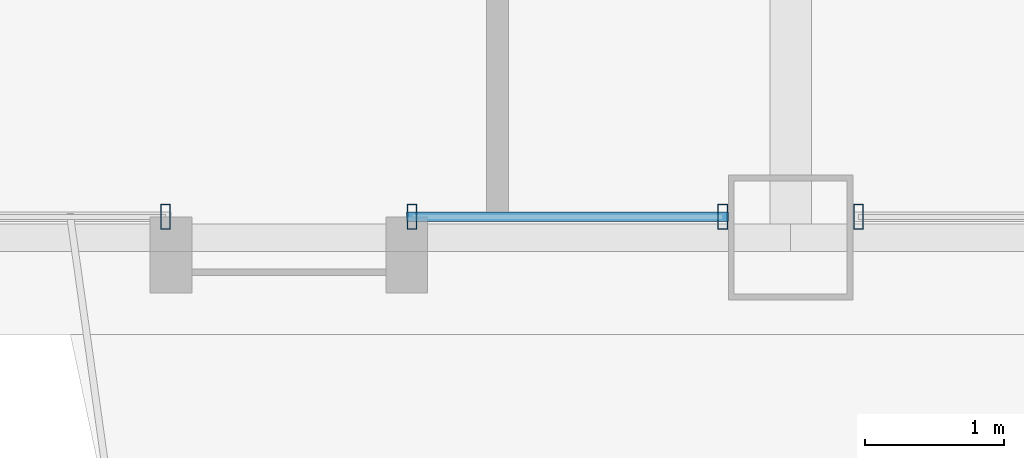
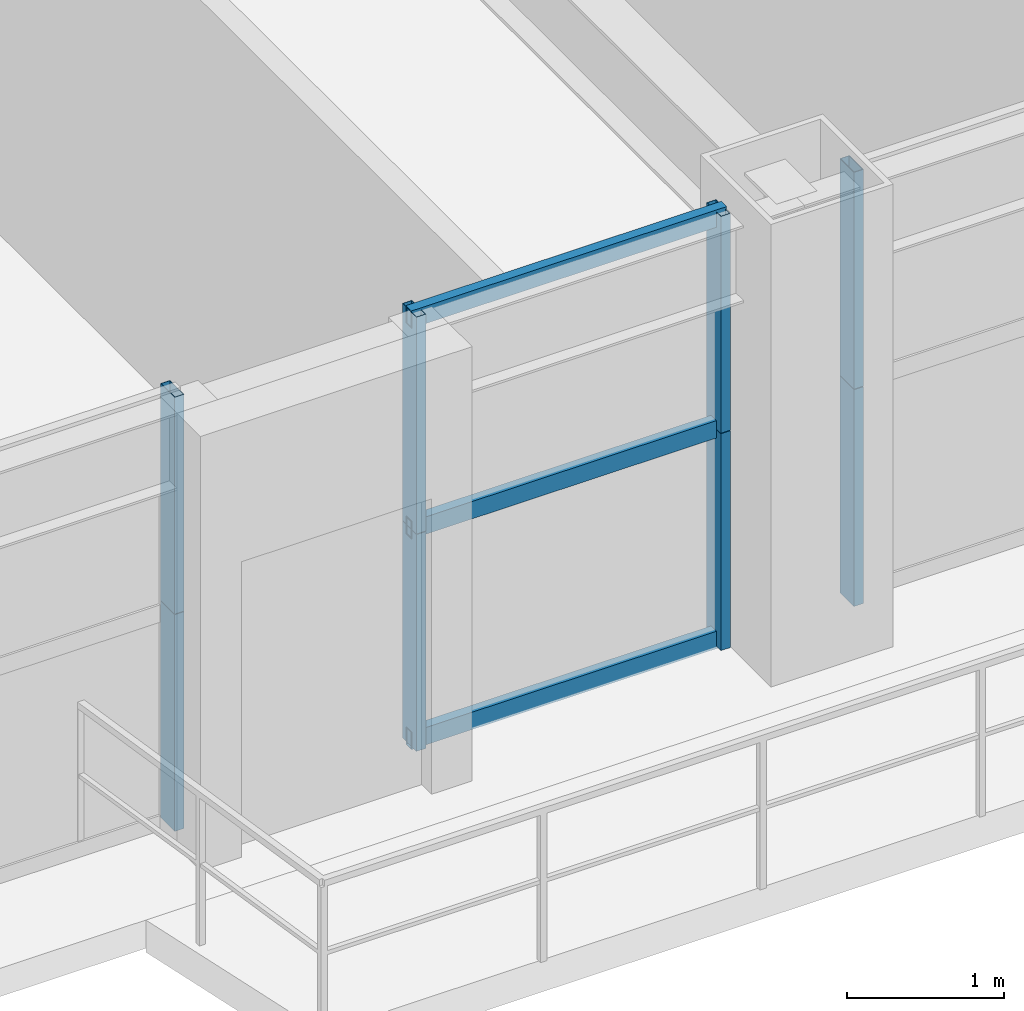
# One storey, part 8 of 43: 11 members, 3 elements without a shape of their own.
"""IFC4 building model written with IfcOpenShell, lengths in metres."""

from ifc_helpers import new_model, si_unit, direction, frame, origin, origin_2d, place, context, subcontext, project, spatial, hollow_rectangle, extrude, source, transform, mapped, material, layer, layer_set, material_profile, profile_set, type_object, element, aggregate, save


model = new_model("IFC4")

# Units and contexts
model_context = context("Model", 3, precision=1e-05, world=origin(), true_north=direction((0.0, 1.0)))
body_context = subcontext(model_context, "Body", "Model", "MODEL_VIEW")
ifc_project = project(units=[si_unit("LENGTHUNIT", "METRE"), si_unit("AREAUNIT", "SQUARE_METRE"), si_unit("VOLUMEUNIT", "CUBIC_METRE"), si_unit("PLANEANGLEUNIT", "RADIAN"), si_unit("MASSUNIT", "GRAM", prefix="KILO"), si_unit("THERMODYNAMICTEMPERATUREUNIT", "KELVIN"), si_unit("POWERUNIT", "WATT")], contexts=[model_context])

# Site, building, storey
site_placement = place(None, origin())
site = spatial("IfcSite", under=ifc_project, at=site_placement, CompositionType="ELEMENT")
building_placement = place(site_placement, origin())
building = spatial("IfcBuilding", under=site, at=building_placement, Name="Yuzanri Waterfront Tower", CompositionType="ELEMENT")
storey_placement = place(building_placement, frame((0.0, 0.0, 93.800048828125)))
storey = spatial("IfcBuildingStorey", under=building, at=storey_placement, Name="L24", CompositionType="ELEMENT", Elevation=93.800048828125)

# Curtain wall, members
ifc_material_1 = material(Name="Anodized Architectural Bronze", Category="metal")
ifc_layer = layer(ifc_material_1, 0.159912109375)
ifc_layer_set = layer_set([ifc_layer], Name="Anodized Architectural Bronze")
curtain_wall_type = type_object("IfcCurtainWallType", Name="Anodized Bronze Hotel Upper-Tier Solar-Control Unitized Curtain Wall 7800", PredefinedType="NOTDEFINED", material=ifc_layer_set)
curtain_wall_1_placement = place(storey_placement, origin())
curtain_wall_1 = element("IfcCurtainWall", 1, at=curtain_wall_1_placement, inside=storey, type_object=curtain_wall_type, Name="L24 Curtain Wall CW-L24-SL1", PredefinedType="NOTDEFINED")
ifc_material_2 = material(Name="Anodized Architectural Bronze", Category="metal")
ifc_material_profile_1 = material_profile(ifc_material_2, hollow_rectangle(XDim=0.070068359375, YDim=0.179931640625, WallThickness=0.00390625, at=origin_2d()), Name="CWM 70x180")
ifc_profile_set_1 = profile_set([ifc_material_profile_1], Name="Anodized Architectural Bronze")
member_type_1 = type_object("IfcMemberType", Name="Anodized Bronze Standard Curtain-Wall Mullion 70x180", PredefinedType="MULLION", material=ifc_profile_set_1)
shared_shape_1 = source(origin(), body_context, "Body", "SweptSolid", [
    extrude(hollow_rectangle(XDim=0.070068359375, YDim=0.179931640625, WallThickness=0.00390625, at=origin_2d()), origin(), (0.0, 0.0, 1.0), 1.68798828125),
])
member_1_placement = place(storey_placement, frame((32.489013671875, 2.35009765625, 0.0), z_axis=(0.0, 0.0, 1.0), x_axis=(1.0, 0.0, 0.0)))
member_1 = element("IfcMember", 2, at=member_1_placement, type_object=member_type_1, Name="CW-L24-SL1 Lower Mullion 02", PredefinedType="MULLION", context=body_context, shape_type="MappedRepresentation", body=[
    mapped(shared_shape_1, transform((0.0, 0.0, 0.0), scale=1.0)),
])
member_2_placement = place(storey_placement, frame((32.489013671875, 2.35009765625, 1.69189453125), z_axis=(0.0, 0.0, 1.0), x_axis=(1.0, 0.0, 0.0)))
member_2 = element("IfcMember", 3, at=member_2_placement, type_object=member_type_1, Name="CW-L24-SL1 Upper Mullion 02", PredefinedType="MULLION", context=body_context, shape_type="MappedRepresentation", body=[
    mapped(shared_shape_1, transform((0.0, 0.0, 0.0), scale=1.0)),
])
aggregate(curtain_wall_1, [member_1, member_2])

curtain_wall_2_placement = place(storey_placement, origin())
curtain_wall_2 = element("IfcCurtainWall", 4, at=curtain_wall_2_placement, inside=storey, type_object=curtain_wall_type, Name="L24 Curtain Wall CW-L24-SL2", PredefinedType="NOTDEFINED")
member_3_placement = place(storey_placement, frame((34.26904296875, 2.35009765625, 0.0), z_axis=(0.0, 0.0, 1.0), x_axis=(1.0, 0.0, 0.0)))
member_3 = element("IfcMember", 5, at=member_3_placement, type_object=member_type_1, Name="CW-L24-SL2 Lower Mullion 00", PredefinedType="MULLION", context=body_context, shape_type="MappedRepresentation", body=[
    mapped(shared_shape_1, transform((0.0, 0.0, 0.0), scale=1.0)),
])
member_4_placement = place(storey_placement, frame((34.26904296875, 2.35009765625, 1.69189453125), z_axis=(0.0, 0.0, 1.0), x_axis=(1.0, 0.0, 0.0)))
member_4 = element("IfcMember", 6, at=member_4_placement, type_object=member_type_1, Name="CW-L24-SL2 Upper Mullion 00", PredefinedType="MULLION", context=body_context, shape_type="MappedRepresentation", body=[
    mapped(shared_shape_1, transform((0.0, 0.0, 0.0), scale=1.0)),
])
member_5_placement = place(storey_placement, frame((36.510009765625, 2.35009765625, 0.0), z_axis=(0.0, 0.0, 1.0), x_axis=(1.0, 0.0, 0.0)))
member_5 = element("IfcMember", 7, at=member_5_placement, type_object=member_type_1, Name="CW-L24-SL2 Lower Mullion 01", PredefinedType="MULLION", context=body_context, shape_type="MappedRepresentation", body=[
    mapped(shared_shape_1, transform((0.0, 0.0, 0.0), scale=1.0)),
])
member_6_placement = place(storey_placement, frame((36.510009765625, 2.35009765625, 1.69189453125), z_axis=(0.0, 0.0, 1.0), x_axis=(1.0, 0.0, 0.0)))
member_6 = element("IfcMember", 8, at=member_6_placement, type_object=member_type_1, Name="CW-L24-SL2 Upper Mullion 01", PredefinedType="MULLION", context=body_context, shape_type="MappedRepresentation", body=[
    mapped(shared_shape_1, transform((0.0, 0.0, 0.0), scale=1.0)),
])

curtain_wall_3_placement = place(storey_placement, origin())
curtain_wall_3 = element("IfcCurtainWall", 9, at=curtain_wall_3_placement, inside=storey, type_object=curtain_wall_type, Name="L24 Curtain Wall CW-L24-SR", PredefinedType="NOTDEFINED")
member_7_placement = place(storey_placement, frame((37.489990234375, 2.35009765625, 0.0), z_axis=(0.0, 0.0, 1.0), x_axis=(1.0, 0.0, 0.0)))
member_7 = element("IfcMember", 10, at=member_7_placement, type_object=member_type_1, Name="CW-L24-SR Lower Mullion 00", PredefinedType="MULLION", context=body_context, shape_type="MappedRepresentation", body=[
    mapped(shared_shape_1, transform((0.0, 0.0, 0.0), scale=1.0)),
])
member_8_placement = place(storey_placement, frame((37.489990234375, 2.35009765625, 1.69189453125), z_axis=(0.0, 0.0, 1.0), x_axis=(1.0, 0.0, 0.0)))
member_8 = element("IfcMember", 11, at=member_8_placement, type_object=member_type_1, Name="CW-L24-SR Upper Mullion 00", PredefinedType="MULLION", context=body_context, shape_type="MappedRepresentation", body=[
    mapped(shared_shape_1, transform((0.0, 0.0, 0.0), scale=1.0)),
])
aggregate(curtain_wall_3, [member_7, member_8])

# Member
ifc_material_3 = material(Name="Anodized Architectural Bronze", Category="metal")
ifc_material_profile_2 = material_profile(ifc_material_3, hollow_rectangle(XDim=0.070068359375, YDim=0.135009765625, WallThickness=0.00341796875, at=origin_2d()), Name="CWT 70x135")
ifc_profile_set_2 = profile_set([ifc_material_profile_2], Name="Anodized Architectural Bronze")
member_type_2 = type_object("IfcMemberType", Name="Anodized Bronze Standard Curtain-Wall Transom 70x135", PredefinedType="USERDEFINED", material=ifc_profile_set_2)
shared_shape_2 = source(origin(), body_context, "Body", "SweptSolid", [
    extrude(hollow_rectangle(XDim=0.070068359375, YDim=0.135009765625, WallThickness=0.00341796875, at=origin_2d()), origin(), (0.0, 0.0, 1.0), 2.321044921875),
])
member_9_placement = place(storey_placement, frame((34.22900390625, 2.35009765625, 0.050048828125), z_axis=(1.0, 0.0, 0.0), x_axis=(0.0, 1.0, 0.0)))
member_9 = element("IfcMember", 12, at=member_9_placement, type_object=member_type_2, Name="CW-L24-SL2 Transom 1", ObjectType="TRANSOM", PredefinedType="USERDEFINED", context=body_context, shape_type="MappedRepresentation", body=[
    mapped(shared_shape_2, transform((0.0, 0.0, 0.0), scale=1.0)),
])

member_10_placement = place(storey_placement, frame((34.22900390625, 2.35009765625, 1.68994140625), z_axis=(1.0, 0.0, 0.0), x_axis=(0.0, 1.0, 0.0)))
member_10 = element("IfcMember", 13, at=member_10_placement, type_object=member_type_2, Name="CW-L24-SL2 Transom 2", ObjectType="TRANSOM", PredefinedType="USERDEFINED", context=body_context, shape_type="MappedRepresentation", body=[
    mapped(shared_shape_2, transform((0.0, 0.0, 0.0), scale=1.0)),
])

member_11_placement = place(storey_placement, frame((34.22900390625, 2.35009765625, 3.329833984375), z_axis=(1.0, 0.0, 0.0), x_axis=(0.0, 1.0, 0.0)))
member_11 = element("IfcMember", 14, at=member_11_placement, type_object=member_type_2, Name="CW-L24-SL2 Transom 3", ObjectType="TRANSOM", PredefinedType="USERDEFINED", context=body_context, shape_type="MappedRepresentation", body=[
    mapped(shared_shape_2, transform((0.0, 0.0, 0.0), scale=1.0)),
])

aggregate(curtain_wall_2, [member_3, member_4, member_5, member_6, member_9, member_10, member_11])

save(model, "model.ifc")
